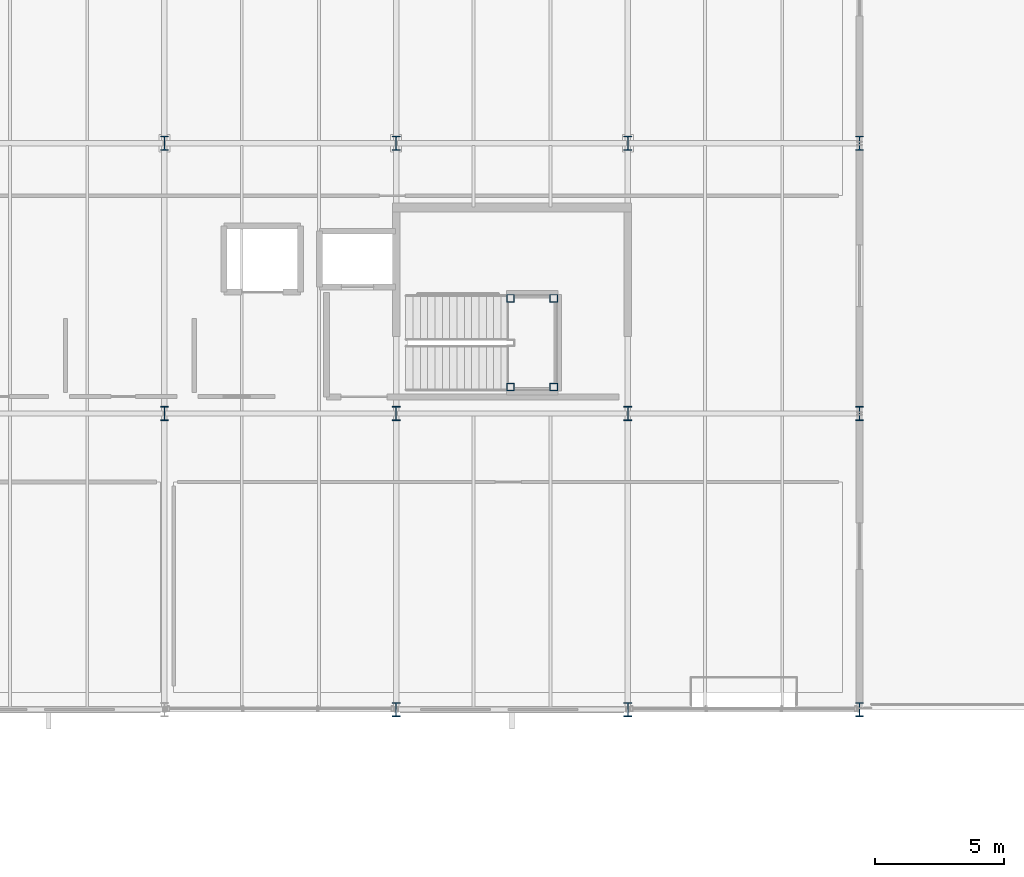
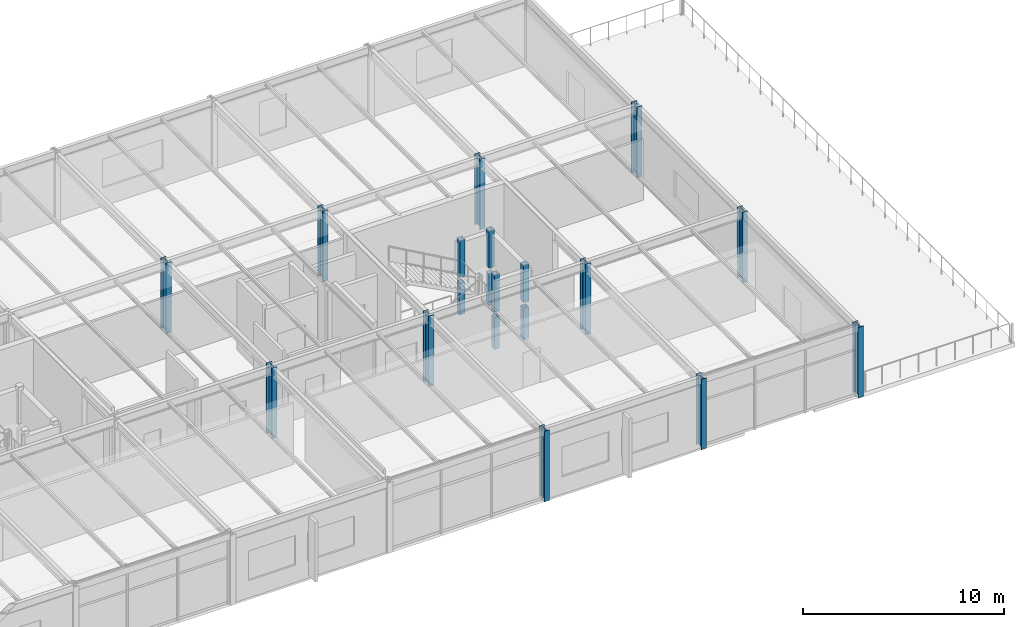
# One storey, part 2 of 44: 19 columns.
"""IFC4 building model written with IfcOpenShell, lengths in metres."""

from ifc_helpers import new_model, si_unit, direction, frame, origin, origin_2d, place, context, subcontext, project, spatial, hollow_rectangle, i_section, extrude, material, material_profile, profile_set, type_object, element, save


model = new_model("IFC4")

# Units and contexts
model_context = context("Model", 3, precision=1e-05, world=origin(), true_north=direction((0.0, 1.0)))
body_context = subcontext(model_context, "Body", "Model", "MODEL_VIEW")
ifc_project = project(units=[si_unit("LENGTHUNIT", "METRE"), si_unit("AREAUNIT", "SQUARE_METRE"), si_unit("VOLUMEUNIT", "CUBIC_METRE"), si_unit("PLANEANGLEUNIT", "RADIAN"), si_unit("MASSUNIT", "GRAM", prefix="KILO")], contexts=[model_context])

# Site, building, storey
site_placement = place(None, origin())
site = spatial("IfcSite", under=ifc_project, at=site_placement, CompositionType="ELEMENT")
building_placement = place(site_placement, origin())
building = spatial("IfcBuilding", under=site, at=building_placement, Name="Marlcrest Central Station", CompositionType="ELEMENT")
storey_placement = place(building_placement, frame((0.0, 0.0, 19.5)))
storey = spatial("IfcBuildingStorey", under=building, at=storey_placement, Name="L04", CompositionType="ELEMENT", Elevation=19.5)

# Columns
ifc_material = material(Name="Steel S355", Category="steel")
ifc_material_profile_1 = material_profile(ifc_material, i_section(OverallWidth=0.300048828125, OverallDepth=0.550048828125, WebThickness=0.014892578125, FlangeThickness=0.029052734375, FilletRadius=0.027099609375, at=origin_2d()), Name="HEB 550")
ifc_profile_set_1 = profile_set([ifc_material_profile_1], Name="Steel S355")
column_type_1 = type_object("IfcColumnType", Name="SC-04", PredefinedType="COLUMN", material=ifc_profile_set_1)
for number, where, z_axis, x_axis, name in (
    (1, (36.0, 110.5, 0.0), (0.0, 0.0, 1.0), (1.0, 0.0, 0.0), "col-SC-04-L04-0210"),
    (2, (36.0, 121.0, 0.0), (0.0, 0.0, 1.0), (1.0, 0.0, 0.0), "col-SC-04-L04-0211"),
    (3, (45.0, 99.0, 0.0), (0.0, 0.0, 1.0), (1.0, 0.0, 0.0), "col-SC-04-L04-0213"),
    (4, (45.0, 110.5, 0.0), (0.0, 0.0, 1.0), (1.0, 0.0, 0.0), "col-SC-04-L04-0214"),
    (5, (45.0, 121.0, 0.0), (0.0, 0.0, 1.0), (1.0, 0.0, 0.0), "col-SC-04-L04-0215"),
    (6, (54.0, 99.0, 0.0), (0.0, 0.0, 1.0), (1.0, 0.0, 0.0), "col-SC-04-L04-0217"),
    (7, (54.0, 110.5, 0.0), (0.0, 0.0, 1.0), (1.0, 0.0, 0.0), "col-SC-04-L04-0218"),
    (8, (54.0, 121.0, 0.0), (0.0, 0.0, 1.0), (1.0, 0.0, 0.0), "col-SC-04-L04-0219"),
    (9, (63.0, 99.0, 0.0), (0.0, 0.0, 1.0), (1.0, 0.0, 0.0), "col-SC-04-L04-0221"),
    (10, (63.0, 110.5, 0.0), (0.0, 0.0, 1.0), (1.0, 0.0, 0.0), "col-SC-04-L04-0222"),
    (11, (63.0, 121.0, 0.0), (0.0, 0.0, 1.0), (1.0, 0.0, 0.0), "col-SC-04-L04-0223"),
):
    element("IfcColumn", number, at=place(storey_placement, frame(where, z_axis=z_axis, x_axis=x_axis)), inside=storey, type_object=column_type_1, Name=name, PredefinedType="COLUMN", context=body_context, shape_type="SweptSolid", body=[
        extrude(i_section(OverallWidth=0.300048828125, OverallDepth=0.550048828125, WebThickness=0.014892578125, FlangeThickness=0.029052734375, FilletRadius=0.027099609375, at=origin_2d()), origin(), (0.0, 0.0, 1.0), 4.27490234375),
    ])
ifc_material_profile_2 = material_profile(ifc_material, hollow_rectangle(XDim=0.300048828125, YDim=0.300048828125, WallThickness=0.01611328125, at=origin_2d()), Name="SHS 300x300x16")
ifc_profile_set_2 = profile_set([ifc_material_profile_2], Name="Steel S355")
column_type_2 = type_object("IfcColumnType", Name="SC-19", PredefinedType="COLUMN", material=ifc_profile_set_2)
column_1_placement = place(storey_placement, frame((49.43994140625, 111.530029296875, 0.0), z_axis=(0.0, 0.0, 1.0), x_axis=(1.0, 0.0, 0.0)))
element("IfcColumn", 12, at=column_1_placement, inside=storey, type_object=column_type_2, Name="htcol-lo-0053-0", PredefinedType="COLUMN", context=body_context, shape_type="SweptSolid", body=[
    extrude(hollow_rectangle(XDim=0.300048828125, YDim=0.300048828125, WallThickness=0.01611328125, at=origin_2d()), origin(), (0.0, 0.0, 1.0), 1.929931640625),
])
column_2_placement = place(storey_placement, frame((49.43994140625, 111.530029296875, 2.25), z_axis=(0.0, 0.0, 1.0), x_axis=(1.0, 0.0, 0.0)))
element("IfcColumn", 13, at=column_2_placement, inside=storey, type_object=column_type_2, Name="htcol-hi-0053-0", PredefinedType="COLUMN", context=body_context, shape_type="SweptSolid", body=[
    extrude(hollow_rectangle(XDim=0.300048828125, YDim=0.300048828125, WallThickness=0.01611328125, at=origin_2d()), origin(), (0.0, 0.0, 1.0), 2.25),
])
column_3_placement = place(storey_placement, frame((51.1201171875, 111.530029296875, 0.0), z_axis=(0.0, 0.0, 1.0), x_axis=(1.0, 0.0, 0.0)))
element("IfcColumn", 14, at=column_3_placement, inside=storey, type_object=column_type_2, Name="htcol-lo-0053-1", PredefinedType="COLUMN", context=body_context, shape_type="SweptSolid", body=[
    extrude(hollow_rectangle(XDim=0.300048828125, YDim=0.300048828125, WallThickness=0.01611328125, at=origin_2d()), origin(), (0.0, 0.0, 1.0), 1.929931640625),
])
column_4_placement = place(storey_placement, frame((51.1201171875, 111.530029296875, 2.25), z_axis=(0.0, 0.0, 1.0), x_axis=(1.0, 0.0, 0.0)))
element("IfcColumn", 15, at=column_4_placement, inside=storey, type_object=column_type_2, Name="htcol-hi-0053-1", PredefinedType="COLUMN", context=body_context, shape_type="SweptSolid", body=[
    extrude(hollow_rectangle(XDim=0.300048828125, YDim=0.300048828125, WallThickness=0.01611328125, at=origin_2d()), origin(), (0.0, 0.0, 1.0), 2.25),
])
column_5_placement = place(storey_placement, frame((51.1201171875, 114.969970703125, 0.0), z_axis=(0.0, 0.0, 1.0), x_axis=(1.0, 0.0, 0.0)))
element("IfcColumn", 16, at=column_5_placement, inside=storey, type_object=column_type_2, Name="htcol-lo-0053-2", PredefinedType="COLUMN", context=body_context, shape_type="SweptSolid", body=[
    extrude(hollow_rectangle(XDim=0.300048828125, YDim=0.300048828125, WallThickness=0.01611328125, at=origin_2d()), origin(), (0.0, 0.0, 1.0), 1.929931640625),
])
column_6_placement = place(storey_placement, frame((51.1201171875, 114.969970703125, 2.25), z_axis=(0.0, 0.0, 1.0), x_axis=(1.0, 0.0, 0.0)))
element("IfcColumn", 17, at=column_6_placement, inside=storey, type_object=column_type_2, Name="htcol-hi-0053-2", PredefinedType="COLUMN", context=body_context, shape_type="SweptSolid", body=[
    extrude(hollow_rectangle(XDim=0.300048828125, YDim=0.300048828125, WallThickness=0.01611328125, at=origin_2d()), origin(), (0.0, 0.0, 1.0), 2.25),
])
column_7_placement = place(storey_placement, frame((49.43994140625, 114.969970703125, 0.0), z_axis=(0.0, 0.0, 1.0), x_axis=(1.0, 0.0, 0.0)))
element("IfcColumn", 18, at=column_7_placement, inside=storey, type_object=column_type_2, Name="htcol-lo-0053-3", PredefinedType="COLUMN", context=body_context, shape_type="SweptSolid", body=[
    extrude(hollow_rectangle(XDim=0.300048828125, YDim=0.300048828125, WallThickness=0.01611328125, at=origin_2d()), origin(), (0.0, 0.0, 1.0), 1.929931640625),
])
column_8_placement = place(storey_placement, frame((49.43994140625, 114.969970703125, 2.25), z_axis=(0.0, 0.0, 1.0), x_axis=(1.0, 0.0, 0.0)))
element("IfcColumn", 19, at=column_8_placement, inside=storey, type_object=column_type_2, Name="htcol-hi-0053-3", PredefinedType="COLUMN", context=body_context, shape_type="SweptSolid", body=[
    extrude(hollow_rectangle(XDim=0.300048828125, YDim=0.300048828125, WallThickness=0.01611328125, at=origin_2d()), origin(), (0.0, 0.0, 1.0), 2.25),
])

save(model, "model.ifc")
